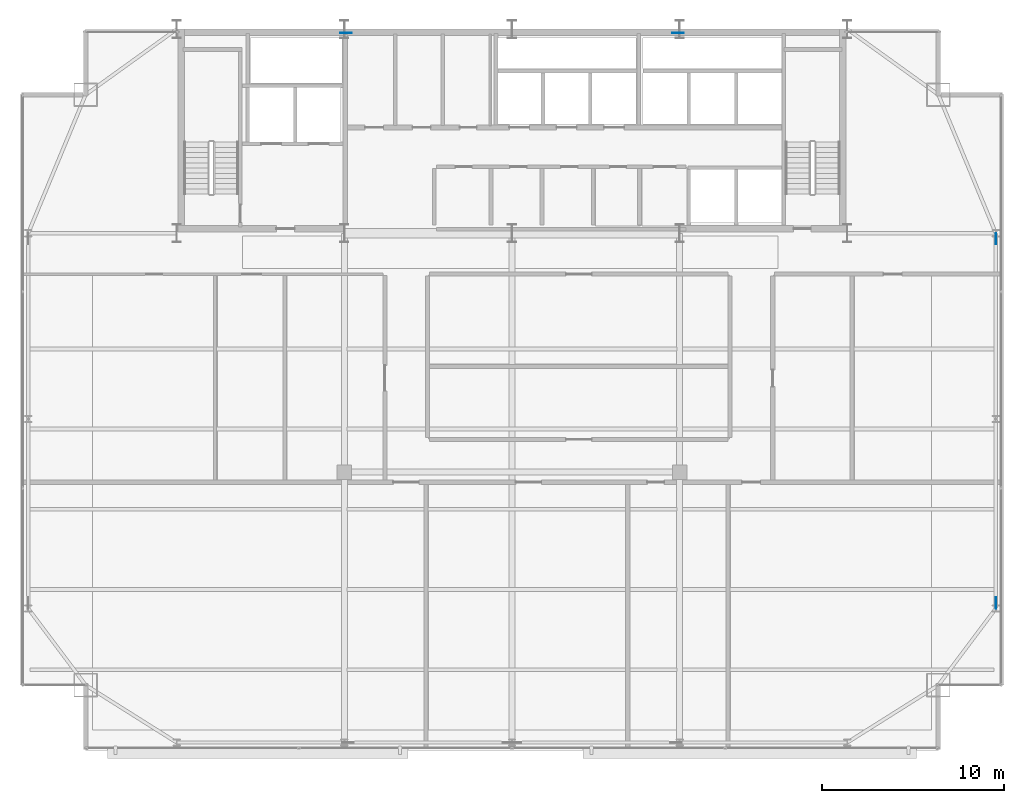
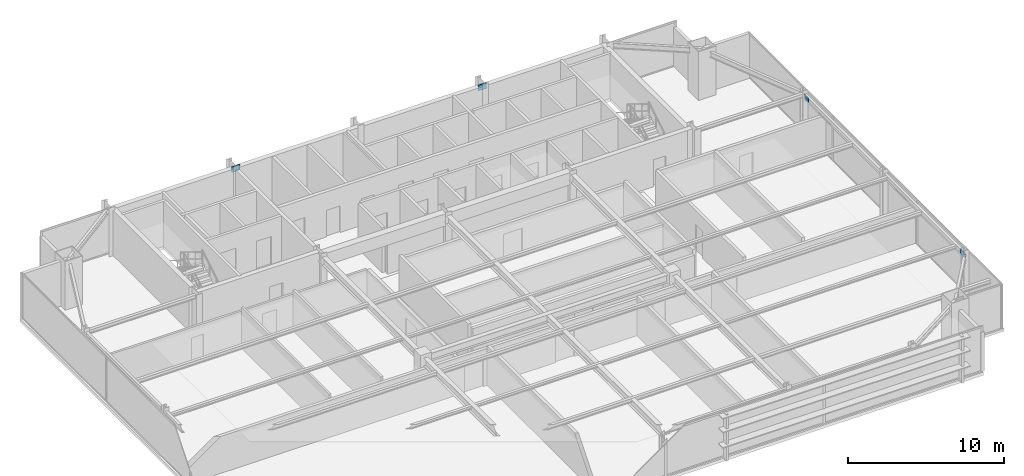
# One storey, part 24 of 29: 4 plates.
"""IFC4 building model written with IfcOpenShell, lengths in metres."""

from ifc_helpers import new_model, si_unit, direction, frame, origin, origin_2d, place, context, subcontext, project, spatial, rectangle, extrude, source, transform, mapped, material, layer, layer_set, type_object, type_shapes, element, save


model = new_model("IFC4")

# Units and contexts
model_context = context("Model", 3, precision=1e-05, world=origin(), true_north=direction((0.0, 1.0)))
body_context = subcontext(model_context, "Body", "Model", "MODEL_VIEW")
ifc_project = project(units=[si_unit("LENGTHUNIT", "METRE"), si_unit("AREAUNIT", "SQUARE_METRE"), si_unit("VOLUMEUNIT", "CUBIC_METRE"), si_unit("PLANEANGLEUNIT", "RADIAN"), si_unit("MASSUNIT", "GRAM", prefix="KILO")], contexts=[model_context])

# Site, building, storey
site_placement = place(None, origin())
site = spatial("IfcSite", under=ifc_project, at=site_placement, CompositionType="ELEMENT")
building_placement = place(site_placement, origin())
building = spatial("IfcBuilding", under=site, at=building_placement, Name="Varnel Quay Broadcast Tower", CompositionType="ELEMENT")
storey_placement = place(building_placement, frame((0.0, 0.0, 187.60009765625)))
storey = spatial("IfcBuildingStorey", under=building, at=storey_placement, Name="L46", CompositionType="ELEMENT", Elevation=187.60009765625)

# Plates
ifc_material = material(Name="Structural Steel CSA G40.21 350WT", Category="steel")
ifc_layer_1 = layer(ifc_material, 0.0400390625, Name="Structural Steel CSA G40.21 350WT")
ifc_layer_set_1 = layer_set([ifc_layer_1], Name="Structural Steel CSA G40.21 350WT")
plate_type_1 = type_object("IfcPlateType", Name="Plate_EmbedPlate", PredefinedType="USERDEFINED", material=ifc_layer_set_1)
shared_shape_1 = source(origin(), body_context, "Body", "SweptSolid", [
    extrude(rectangle(XDim=0.639892578125, YDim=0.0400390625, at=origin_2d()), origin(), (0.0, 0.0, 1.0), 0.449951171875),
])
type_shapes(plate_type_1, [shared_shape_1])
for number, where, z_axis, x_axis, name in (
    (1, (43.106689453125, 46.580078125, 3.19921875), (0.0, 0.0, 1.0), (1.0, 0.0, 0.0), "Zone 3 Mega-Brace N-CT3 Diag A Wall Cast-In Embed Plate P1"),
    (2, (24.893310546875, 46.580078125, 3.19921875), (0.0, 0.0, 1.0), (1.0, 0.0, 0.0), "Zone 3 Mega-Brace N-CT3 Diag B2 Wall Cast-In Embed Plate P1"),
):
    element("IfcPlate", number, at=place(storey_placement, frame(where, z_axis=z_axis, x_axis=x_axis)), inside=storey, type_object=plate_type_1, Name=name, ObjectType="EMBED_PLATE", PredefinedType="USERDEFINED", context=body_context, shape_type="MappedRepresentation", body=[
        mapped(shared_shape_1, transform((0.0, 0.0, 0.0), x_axis=(1.0, 0.0, 0.0), y_axis=(0.0, 1.0, 0.0), z_axis=(0.0, 0.0, 1.0), scale=1.0)),
    ])
ifc_layer_2 = layer(ifc_material, 0.031982421875, Name="Structural Steel CSA G40.21 350WT")
ifc_layer_set_2 = layer_set([ifc_layer_2], Name="Structural Steel CSA G40.21 350WT")
plate_type_2 = type_object("IfcPlateType", Name="Plate_EndCap", PredefinedType="USERDEFINED", material=ifc_layer_set_2)
shared_shape_2 = source(origin(), body_context, "Body", "SweptSolid", [
    extrude(rectangle(XDim=0.6201171875, YDim=0.031982421875, at=origin_2d()), origin(), (0.0, 0.0, 1.0), 0.3798828125),
])
type_shapes(plate_type_2, [shared_shape_2])
for number, where, z_axis, x_axis, name in (
    (3, (60.550048828125, 35.2919921875, 3.08740234375), (0.0, 0.0, 1.0), (0.0, 1.0, 0.0), "Zone 3 Mega-Brace E-FT3 Diag A End Connection Plate P1"),
    (4, (60.550048828125, 15.30810546875, 3.08740234375), (0.0, 0.0, 1.0), (0.0, 1.0, 0.0), "Zone 3 Mega-Brace E-FT3 Diag B2 End Connection Plate P1"),
):
    element("IfcPlate", number, at=place(storey_placement, frame(where, z_axis=z_axis, x_axis=x_axis)), inside=storey, type_object=plate_type_2, Name=name, ObjectType="CAP_PLATE", PredefinedType="USERDEFINED", context=body_context, shape_type="MappedRepresentation", body=[
        mapped(shared_shape_2, transform((0.0, 0.0, 0.0), x_axis=(1.0, 0.0, 0.0), y_axis=(0.0, 1.0, 0.0), z_axis=(0.0, 0.0, 1.0), scale=1.0)),
    ])

save(model, "model.ifc")
